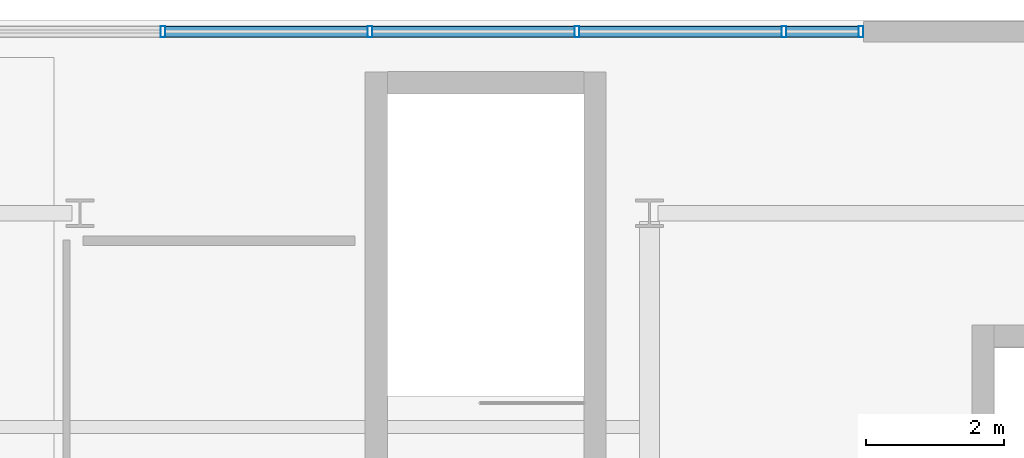
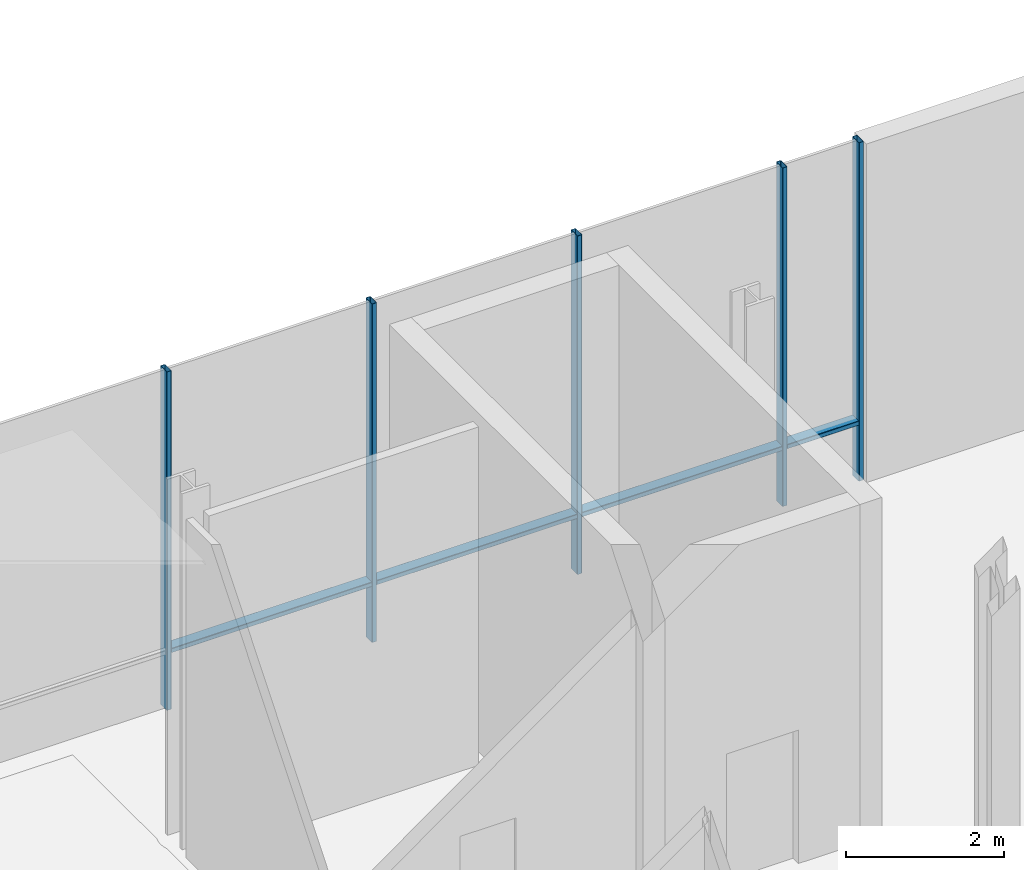
# One storey, part 7 of 17: 9 members, 1 element without a shape of its own.
"""IFC4 building model written with IfcOpenShell, lengths in metres."""

from ifc_helpers import new_model, si_unit, direction, frame, origin, origin_2d, place, context, subcontext, project, spatial, hollow_rectangle, extrude, material, layer, layer_set, material_profile, profile_set, type_object, element, aggregate, save


model = new_model("IFC4")

# Units and contexts
model_context = context("Model", 3, precision=1e-05, world=origin(), true_north=direction((0.0, 1.0)))
body_context = subcontext(model_context, "Body", "Model", "MODEL_VIEW")
ifc_project = project(units=[si_unit("LENGTHUNIT", "METRE"), si_unit("AREAUNIT", "SQUARE_METRE"), si_unit("VOLUMEUNIT", "CUBIC_METRE"), si_unit("PLANEANGLEUNIT", "RADIAN"), si_unit("MASSUNIT", "GRAM", prefix="KILO")], contexts=[model_context])

# Site, building, storey
site_placement = place(None, origin())
site = spatial("IfcSite", under=ifc_project, at=site_placement, CompositionType="ELEMENT")
building_placement = place(site_placement, origin())
building = spatial("IfcBuilding", under=site, at=building_placement, Name="Brevholm Reach", CompositionType="ELEMENT")
storey_placement = place(building_placement, frame((0.0, 0.0, 22.5)))
storey = spatial("IfcBuildingStorey", under=building, at=storey_placement, Name="L05", CompositionType="ELEMENT", Elevation=22.5)

# Curtain wall, members
ifc_material_1 = material(Name="Dark Anodised Aluminium 6063-T6 and Solar-Control Glass", Category="aluminium")
ifc_layer = layer(ifc_material_1, 0.1650390625)
ifc_layer_set = layer_set([ifc_layer], Name="Dark Anodised Aluminium 6063-T6 and Solar-Control Glass")
curtain_wall_type = type_object("IfcCurtainWallType", Name="CW-03", PredefinedType="NOTDEFINED", material=ifc_layer_set)
curtain_wall_placement = place(storey_placement, origin())
curtain_wall = element("IfcCurtainWall", 1, at=curtain_wall_placement, inside=storey, type_object=curtain_wall_type, Name="L05 Curtain Wall CW-03", PredefinedType="NOTDEFINED")
ifc_material_2 = material(Name="Dark Anodised Aluminium 6063-T6", Category="aluminium")
ifc_material_profile_1 = material_profile(ifc_material_2, hollow_rectangle(XDim=0.070068359375, YDim=0.1650390625, WallThickness=0.0048828125, InnerFilletRadius=0.0048828125, OuterFilletRadius=0.010009765625, at=origin_2d()), Name="RHS 165x70x5")
ifc_profile_set_1 = profile_set([ifc_material_profile_1], Name="Dark Anodised Aluminium 6063-T6")
member_type_1 = type_object("IfcMemberType", Name="CWM-165", PredefinedType="MULLION", material=ifc_profile_set_1)
member_1_placement = place(storey_placement, frame((31.199951171875, 39.830078125, 0.0), z_axis=(0.0, 0.0, 1.0), x_axis=(1.0, 0.0, 0.0)))
member_1 = element("IfcMember", 2, at=member_1_placement, type_object=member_type_1, Name="CM-165 Mullion 2", PredefinedType="MULLION", context=body_context, shape_type="SweptSolid", body=[
    extrude(hollow_rectangle(XDim=0.070068359375, YDim=0.1650390625, WallThickness=0.0048828125, InnerFilletRadius=0.0048828125, OuterFilletRadius=0.010009765625, at=origin_2d()), origin(), (0.0, 0.0, 1.0), 5.22998046875),
])
member_2_placement = place(storey_placement, frame((34.199951171875, 39.830078125, 0.0), z_axis=(0.0, 0.0, 1.0), x_axis=(1.0, 0.0, 0.0)))
member_2 = element("IfcMember", 3, at=member_2_placement, type_object=member_type_1, Name="CM-165 Mullion 3", PredefinedType="MULLION", context=body_context, shape_type="SweptSolid", body=[
    extrude(hollow_rectangle(XDim=0.070068359375, YDim=0.1650390625, WallThickness=0.0048828125, InnerFilletRadius=0.0048828125, OuterFilletRadius=0.010009765625, at=origin_2d()), origin(), (0.0, 0.0, 1.0), 5.22998046875),
])
member_3_placement = place(storey_placement, frame((37.199951171875, 39.830078125, 0.0), z_axis=(0.0, 0.0, 1.0), x_axis=(1.0, 0.0, 0.0)))
member_3 = element("IfcMember", 4, at=member_3_placement, type_object=member_type_1, Name="CM-165 Mullion 4", PredefinedType="MULLION", context=body_context, shape_type="SweptSolid", body=[
    extrude(hollow_rectangle(XDim=0.070068359375, YDim=0.1650390625, WallThickness=0.0048828125, InnerFilletRadius=0.0048828125, OuterFilletRadius=0.010009765625, at=origin_2d()), origin(), (0.0, 0.0, 1.0), 5.22998046875),
])
member_4_placement = place(storey_placement, frame((40.199951171875, 39.830078125, 0.0), z_axis=(0.0, 0.0, 1.0), x_axis=(1.0, 0.0, 0.0)))
member_4 = element("IfcMember", 5, at=member_4_placement, type_object=member_type_1, Name="CM-165 Mullion 5", PredefinedType="MULLION", context=body_context, shape_type="SweptSolid", body=[
    extrude(hollow_rectangle(XDim=0.070068359375, YDim=0.1650390625, WallThickness=0.0048828125, InnerFilletRadius=0.0048828125, OuterFilletRadius=0.010009765625, at=origin_2d()), origin(), (0.0, 0.0, 1.0), 5.22998046875),
])
member_5_placement = place(storey_placement, frame((41.31494140625, 39.830078125, 0.0), z_axis=(0.0, 0.0, 1.0), x_axis=(1.0, 0.0, 0.0)))
member_5 = element("IfcMember", 6, at=member_5_placement, type_object=member_type_1, Name="CM-165 Mullion 6", PredefinedType="MULLION", context=body_context, shape_type="SweptSolid", body=[
    extrude(hollow_rectangle(XDim=0.070068359375, YDim=0.1650390625, WallThickness=0.0048828125, InnerFilletRadius=0.0048828125, OuterFilletRadius=0.010009765625, at=origin_2d()), origin(), (0.0, 0.0, 1.0), 5.22998046875),
])
ifc_material_3 = material(Name="Dark Anodised Aluminium 6063-T6", Category="aluminium")
ifc_material_profile_2 = material_profile(ifc_material_3, hollow_rectangle(XDim=0.070068359375, YDim=0.1650390625, WallThickness=0.0048828125, InnerFilletRadius=0.0048828125, OuterFilletRadius=0.010009765625, at=origin_2d()), Name="RHS 165x70x5")
ifc_profile_set_2 = profile_set([ifc_material_profile_2], Name="Dark Anodised Aluminium 6063-T6")
member_type_2 = type_object("IfcMemberType", Name="CWT-165", PredefinedType="NOTDEFINED", material=ifc_profile_set_2)
member_6_placement = place(storey_placement, frame((31.235107421875, 39.830078125, 0.89990234375), z_axis=(1.0, 0.0, 0.0), x_axis=(0.0, 0.0, 1.0)))
member_6 = element("IfcMember", 7, at=member_6_placement, type_object=member_type_2, Name="CT-165 Transom 2.1", ObjectType="TRANSOM", PredefinedType="USERDEFINED", context=body_context, shape_type="SweptSolid", body=[
    extrude(hollow_rectangle(XDim=0.070068359375, YDim=0.1650390625, WallThickness=0.0048828125, InnerFilletRadius=0.0048828125, OuterFilletRadius=0.010009765625, at=origin_2d()), origin(), (0.0, 0.0, 1.0), 2.929931640625),
])
member_7_placement = place(storey_placement, frame((34.235107421875, 39.830078125, 0.89990234375), z_axis=(1.0, 0.0, 0.0), x_axis=(0.0, 0.0, 1.0)))
member_7 = element("IfcMember", 8, at=member_7_placement, type_object=member_type_2, Name="CT-165 Transom 3.1", ObjectType="TRANSOM", PredefinedType="USERDEFINED", context=body_context, shape_type="SweptSolid", body=[
    extrude(hollow_rectangle(XDim=0.070068359375, YDim=0.1650390625, WallThickness=0.0048828125, InnerFilletRadius=0.0048828125, OuterFilletRadius=0.010009765625, at=origin_2d()), origin(), (0.0, 0.0, 1.0), 2.929931640625),
])
member_8_placement = place(storey_placement, frame((37.235107421875, 39.830078125, 0.89990234375), z_axis=(1.0, 0.0, 0.0), x_axis=(0.0, 0.0, 1.0)))
member_8 = element("IfcMember", 9, at=member_8_placement, type_object=member_type_2, Name="CT-165 Transom 4.1", ObjectType="TRANSOM", PredefinedType="USERDEFINED", context=body_context, shape_type="SweptSolid", body=[
    extrude(hollow_rectangle(XDim=0.070068359375, YDim=0.1650390625, WallThickness=0.0048828125, InnerFilletRadius=0.0048828125, OuterFilletRadius=0.010009765625, at=origin_2d()), origin(), (0.0, 0.0, 1.0), 2.929931640625),
])
member_9_placement = place(storey_placement, frame((40.235107421875, 39.830078125, 0.89990234375), z_axis=(1.0, 0.0, 0.0), x_axis=(0.0, 0.0, 1.0)))
member_9 = element("IfcMember", 10, at=member_9_placement, type_object=member_type_2, Name="CT-165 Transom 5.1", ObjectType="TRANSOM", PredefinedType="USERDEFINED", context=body_context, shape_type="SweptSolid", body=[
    extrude(hollow_rectangle(XDim=0.070068359375, YDim=0.1650390625, WallThickness=0.0048828125, InnerFilletRadius=0.0048828125, OuterFilletRadius=0.010009765625, at=origin_2d()), origin(), (0.0, 0.0, 1.0), 1.044921875),
])
aggregate(curtain_wall, [member_1, member_2, member_3, member_4, member_5, member_6, member_7, member_8, member_9])

save(model, "model.ifc")
